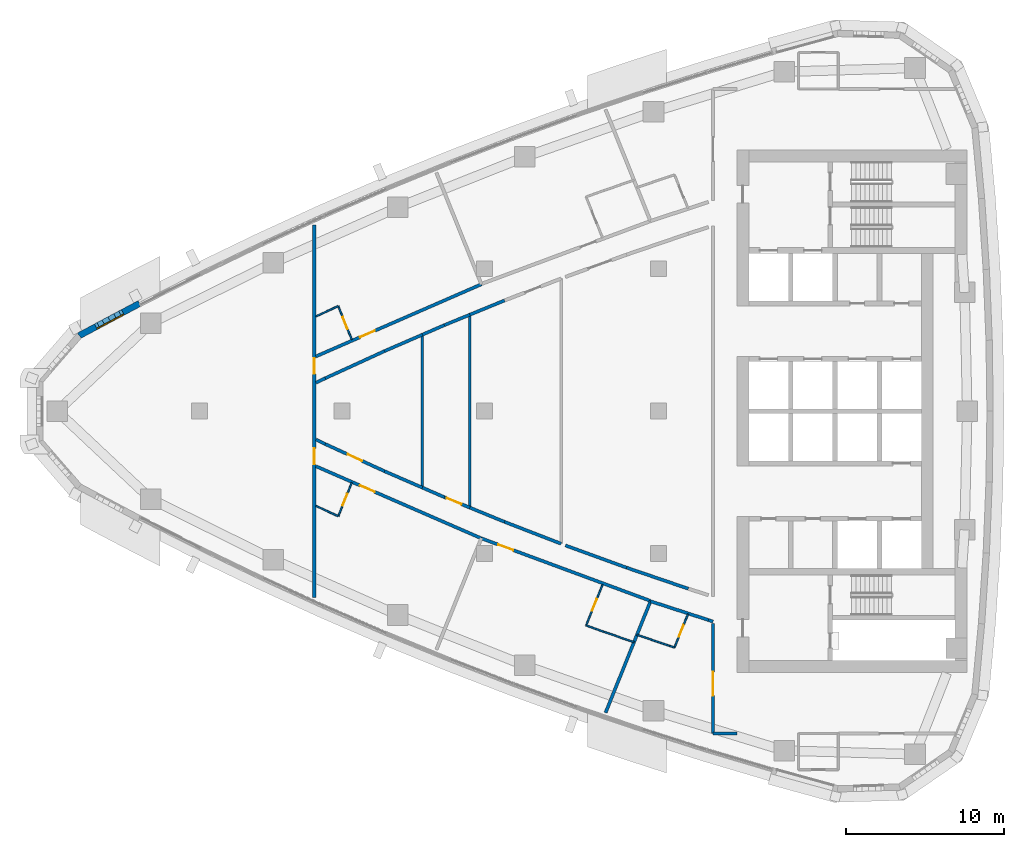
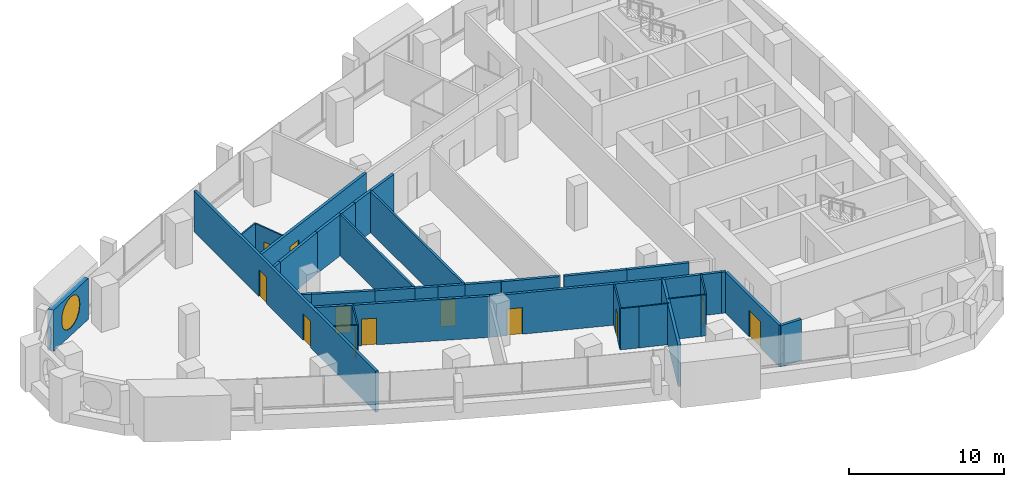
# One storey, part 9 of 16: 37 walls, 12 doors, 1 window, 13 openings.
"""IFC4 building model written with IfcOpenShell, lengths in metres."""

from ifc_helpers import new_model, si_unit, direction, frame, frame_2d, origin, place, context, subcontext, project, spatial, polyline, rectangle, outline, extrude, material, layer, layer_set, type_object, element, fill, save


model = new_model("IFC4")

# Units and contexts
model_context = context("Model", 3, precision=1e-05, world=origin(), true_north=direction((0.0, 1.0)))
body_context = subcontext(model_context, "Body", "Model", "MODEL_VIEW")
ifc_project = project(units=[si_unit("LENGTHUNIT", "METRE"), si_unit("AREAUNIT", "SQUARE_METRE"), si_unit("VOLUMEUNIT", "CUBIC_METRE"), si_unit("PLANEANGLEUNIT", "RADIAN"), si_unit("MASSUNIT", "GRAM", prefix="KILO")], contexts=[model_context])

# Site, building, storey
site_placement = place(None, origin())
site = spatial("IfcSite", under=ifc_project, at=site_placement, CompositionType="ELEMENT")
building_placement = place(site_placement, origin())
building = spatial("IfcBuilding", under=site, at=building_placement, Name="Ostrand Prow Hotel Tower", CompositionType="ELEMENT")
storey_placement = place(building_placement, frame((0.0, 0.0, 189.699951171875)))
storey = spatial("IfcBuildingStorey", under=building, at=storey_placement, Name="L47", CompositionType="ELEMENT", Elevation=189.699951171875)

# Wall
ifc_material_1 = material(Name="Plasterboard partition")
ifc_layer_1 = layer(ifc_material_1, 0.10009765625)
ifc_layer_set_1 = layer_set([ifc_layer_1], Name="Plasterboard partition")
wall_type_1 = type_object("IfcWallType", Name="Partition 100 bathroom wall", PredefinedType="PARTITIONING", material=ifc_layer_set_1)
wall_1_placement = place(storey_placement, frame((23.35400390625, 5.9873046875, 0.0), z_axis=(0.0, 0.0, 1.0), x_axis=(0.909158902999, 0.416449383597, 0.0)))
element("IfcWall", 1, at=wall_1_placement, inside=storey, type_object=wall_type_1, Name="BATHROOM WALL", PredefinedType="PARTITIONING", context=body_context, shape_type="SweptSolid", body=[
    extrude(rectangle(XDim=1.555908203125, YDim=0.10009765625, at=frame_2d((0.77783203125, 0.0))), origin(), (0.0, 0.0, 1.0), 3.25),
])

# Wall, opening, door
wall_2_placement = place(storey_placement, frame((24.7685546875, 6.635009765625, 0.0), z_axis=(0.0, 0.0, 1.0), x_axis=(0.373956446544, -0.927446265877, 0.0)))
wall_2 = element("IfcWall", 2, at=wall_2_placement, inside=storey, type_object=wall_type_1, Name="BATHROOM WALL", PredefinedType="PARTITIONING", context=body_context, shape_type="SweptSolid", body=[
    extrude(rectangle(XDim=2.279052734375, YDim=0.10009765625, at=frame_2d((1.1396484375, 0.0))), origin(), (0.0, 0.0, 1.0), 3.25),
])
opening_1_placement = place(wall_2_placement, frame((0.75, 0.0, 0.0)))
opening_1 = element("IfcOpeningElement", 3, at=opening_1_placement, cuts=wall_2, Name="Opening D2", PredefinedType="OPENING", context=body_context, shape_type="SweptSolid", body=[
    extrude(rectangle(XDim=0.800048828125, YDim=2.10009765625, at=frame_2d((0.39990234375, 1.050048828125))), frame((0.0, 0.06005859375, 0.0), z_axis=(0.0, -1.0, 0.0), x_axis=(1.0, 0.0, 0.0)), (0.0, 0.0, 1.0), 0.1201171875),
])
ifc_material_2 = material(Name="Timber door leaf", Category="wood")
door_type_1 = type_object("IfcDoorType", Name="Bathroom door 800", OperationType="SINGLE_SWING_LEFT", PredefinedType="DOOR", material=ifc_material_2)
door_1_placement = place(opening_1_placement, origin())
door_1 = element("IfcDoor", 4, at=door_1_placement, inside=storey, type_object=door_type_1, Name="DOOR", OperationType="SINGLE_SWING_LEFT", OverallHeight=2.10009765625, OverallWidth=0.800048828125, PredefinedType="DOOR", context=body_context, shape_type="SweptSolid", body=[
    extrude(rectangle(XDim=0.800048828125, YDim=2.10009765625, at=frame_2d((0.39990234375, 1.050048828125))), frame((0.0, 0.02490234375, 0.0), z_axis=(0.0, -1.0, 0.0), x_axis=(1.0, 0.0, 0.0)), (0.0, 0.0, 1.0), 0.050048828125),
])
fill(opening_1, door_1)

wall_3_placement = place(storey_placement, frame((25.620849609375, -4.521240234375, 0.0), z_axis=(0.0, 0.0, 1.0), x_axis=(-0.373956446544, -0.927446265877, 0.0)))
wall_3 = element("IfcWall", 5, at=wall_3_placement, inside=storey, type_object=wall_type_1, Name="BATHROOM WALL", PredefinedType="PARTITIONING", context=body_context, shape_type="SweptSolid", body=[
    extrude(rectangle(XDim=2.279052734375, YDim=0.10009765625, at=frame_2d((1.1396484375, 0.0))), origin(), (0.0, 0.0, 1.0), 3.25),
])
opening_2_placement = place(wall_3_placement, frame((0.75, 0.0, 0.0)))
opening_2 = element("IfcOpeningElement", 6, at=opening_2_placement, cuts=wall_3, Name="Opening D2", PredefinedType="OPENING", context=body_context, shape_type="SweptSolid", body=[
    extrude(rectangle(XDim=0.800048828125, YDim=2.10009765625, at=frame_2d((0.39990234375, 1.050048828125))), frame((0.0, 0.06005859375, 0.0), z_axis=(0.0, -1.0, 0.0), x_axis=(1.0, 0.0, 0.0)), (0.0, 0.0, 1.0), 0.1201171875),
])
door_2_placement = place(opening_2_placement, origin())
door_2 = element("IfcDoor", 7, at=door_2_placement, inside=storey, type_object=door_type_1, Name="DOOR", OperationType="SINGLE_SWING_LEFT", OverallHeight=2.10009765625, OverallWidth=0.800048828125, PredefinedType="DOOR", context=body_context, shape_type="SweptSolid", body=[
    extrude(rectangle(XDim=0.800048828125, YDim=2.10009765625, at=frame_2d((0.39990234375, 1.050048828125))), frame((0.0, 0.02490234375, 0.0), z_axis=(0.0, -1.0, 0.0), x_axis=(1.0, 0.0, 0.0)), (0.0, 0.0, 1.0), 0.050048828125),
])
fill(opening_2, door_2)

# Wall
wall_4_placement = place(storey_placement, frame((24.7685546875, -6.63525390625, 0.0), z_axis=(0.0, 0.0, 1.0), x_axis=(-0.909158902999, 0.416449383597, 0.0)))
element("IfcWall", 8, at=wall_4_placement, inside=storey, type_object=wall_type_1, Name="BATHROOM WALL", PredefinedType="PARTITIONING", context=body_context, shape_type="SweptSolid", body=[
    extrude(rectangle(XDim=1.555908203125, YDim=0.10009765625, at=frame_2d((0.77783203125, 0.0))), origin(), (0.0, 0.0, 1.0), 3.25),
])

# Wall, opening, door
wall_5_placement = place(storey_placement, frame((40.425537109375, -13.53173828125, 0.0), z_axis=(0.0, 0.0, 1.0), x_axis=(0.373889095325, 0.927473419779, 0.0)))
wall_5 = element("IfcWall", 9, at=wall_5_placement, inside=storey, type_object=wall_type_1, Name="BATHROOM WALL", PredefinedType="PARTITIONING", context=body_context, shape_type="SweptSolid", body=[
    extrude(rectangle(XDim=2.7783203125, YDim=0.10009765625, at=frame_2d((1.38916015625, 0.0))), origin(), (0.0, 0.0, 1.0), 3.25),
])
opening_3_placement = place(wall_5_placement, frame((1.0, 0.0, 0.0)))
opening_3 = element("IfcOpeningElement", 10, at=opening_3_placement, cuts=wall_5, Name="Opening D2", PredefinedType="OPENING", context=body_context, shape_type="SweptSolid", body=[
    extrude(rectangle(XDim=0.800048828125, YDim=2.10009765625, at=frame_2d((0.39990234375, 1.050048828125))), frame((0.0, 0.06005859375, 0.0), z_axis=(0.0, -1.0, 0.0), x_axis=(1.0, 0.0, 0.0)), (0.0, 0.0, 1.0), 0.1201171875),
])
door_3_placement = place(opening_3_placement, origin())
door_3 = element("IfcDoor", 11, at=door_3_placement, inside=storey, type_object=door_type_1, Name="DOOR", OperationType="SINGLE_SWING_LEFT", OverallHeight=2.10009765625, OverallWidth=0.800048828125, PredefinedType="DOOR", context=body_context, shape_type="SweptSolid", body=[
    extrude(rectangle(XDim=0.800048828125, YDim=2.10009765625, at=frame_2d((0.39990234375, 1.050048828125))), frame((0.0, 0.02490234375, 0.0), z_axis=(0.0, -1.0, 0.0), x_axis=(1.0, 0.0, 0.0)), (0.0, 0.0, 1.0), 0.050048828125),
])
fill(opening_3, door_3)

# Walls
wall_6_placement = place(storey_placement, frame((43.449462890625, -14.589111328125, 0.0), z_axis=(0.0, 0.0, 1.0), x_axis=(-0.94641533286, 0.322952036265, 0.0)))
element("IfcWall", 12, at=wall_6_placement, inside=storey, type_object=wall_type_1, Name="BATHROOM WALL", PredefinedType="PARTITIONING", context=body_context, shape_type="SweptSolid", body=[
    extrude(rectangle(XDim=2.001708984375, YDim=0.10009765625, at=frame_2d((1.0009765625, 0.0))), origin(), (0.0, 0.0, 1.0), 3.25),
])
wall_7_placement = place(storey_placement, frame((41.5546875, -13.942626953125, 0.0), z_axis=(0.0, 0.0, 1.0), x_axis=(-0.939781557461, 0.341775692897, 0.0)))
element("IfcWall", 13, at=wall_7_placement, inside=storey, type_object=wall_type_1, Name="BATHROOM WALL", PredefinedType="PARTITIONING", context=body_context, shape_type="SweptSolid", body=[
    extrude(rectangle(XDim=1.201416015625, YDim=0.10009765625, at=frame_2d((0.6005859375, 0.0))), origin(), (0.0, 0.0, 1.0), 3.25),
])

# Wall, opening, door
wall_8_placement = place(storey_placement, frame((46.862548828125, -12.80908203125, 0.0), z_axis=(0.0, 0.0, 1.0), x_axis=(-0.373877855241, -0.927477950876, 0.0)))
wall_8 = element("IfcWall", 14, at=wall_8_placement, inside=storey, type_object=wall_type_1, Name="BATHROOM WALL", PredefinedType="PARTITIONING", context=body_context, shape_type="SweptSolid", body=[
    extrude(rectangle(XDim=2.283447265625, YDim=0.10009765625, at=frame_2d((1.1416015625, 0.0))), origin(), (0.0, 0.0, 1.0), 3.25),
])
opening_4_placement = place(wall_8_placement, frame((0.75, 0.0, 0.0)))
opening_4 = element("IfcOpeningElement", 15, at=opening_4_placement, cuts=wall_8, Name="Opening D2", PredefinedType="OPENING", context=body_context, shape_type="SweptSolid", body=[
    extrude(rectangle(XDim=0.800048828125, YDim=2.10009765625, at=frame_2d((0.39990234375, 1.050048828125))), frame((0.0, 0.06005859375, 0.0), z_axis=(0.0, -1.0, 0.0), x_axis=(1.0, 0.0, 0.0)), (0.0, 0.0, 1.0), 0.1201171875),
])
door_4_placement = place(opening_4_placement, origin())
door_4 = element("IfcDoor", 16, at=door_4_placement, inside=storey, type_object=door_type_1, Name="DOOR", OperationType="SINGLE_SWING_LEFT", OverallHeight=2.10009765625, OverallWidth=0.800048828125, PredefinedType="DOOR", context=body_context, shape_type="SweptSolid", body=[
    extrude(rectangle(XDim=0.800048828125, YDim=2.10009765625, at=frame_2d((0.39990234375, 1.050048828125))), frame((0.0, 0.02490234375, 0.0), z_axis=(0.0, -1.0, 0.0), x_axis=(1.0, 0.0, 0.0)), (0.0, 0.0, 1.0), 0.050048828125),
])
fill(opening_4, door_4)

# Walls
wall_9_placement = place(storey_placement, frame((46.0087890625, -14.927001953125, 0.0), z_axis=(0.0, 0.0, 1.0), x_axis=(-0.952618746207, 0.304166935045, 0.0)))
element("IfcWall", 17, at=wall_9_placement, inside=storey, type_object=wall_type_1, Name="BATHROOM WALL", PredefinedType="PARTITIONING", context=body_context, shape_type="SweptSolid", body=[
    extrude(rectangle(XDim=0.334716796875, YDim=0.10009765625, at=frame_2d((0.16748046875, 0.0))), origin(), (0.0, 0.0, 1.0), 3.25),
])
wall_10_placement = place(storey_placement, frame((45.68994140625, -14.8251953125, 0.0), z_axis=(0.0, 0.0, 1.0), x_axis=(-0.946442988685, 0.322870979136, 0.0)))
element("IfcWall", 18, at=wall_10_placement, inside=storey, type_object=wall_type_1, Name="BATHROOM WALL", PredefinedType="PARTITIONING", context=body_context, shape_type="SweptSolid", body=[
    extrude(rectangle(XDim=2.16943359375, YDim=0.10009765625, at=frame_2d((1.084716796875, 0.0))), origin(), (0.0, 0.0, 1.0), 3.25),
])
ifc_material_3 = material(Name="Plasterboard partition")
ifc_layer_2 = layer(ifc_material_3, 0.14990234375)
ifc_layer_set_2 = layer_set([ifc_layer_2], Name="Plasterboard partition")
wall_type_2 = type_object("IfcWallType", Name="Partition 150 room partition", PredefinedType="PARTITIONING", material=ifc_layer_set_2)
wall_11_placement = place(storey_placement, frame((30.078857421875, -4.830078125, 0.0), z_axis=(0.0, 0.0, 1.0), x_axis=(0.0, 1.0, 0.0)))
element("IfcWall", 19, at=wall_11_placement, inside=storey, type_object=wall_type_2, Name="ROOM PARTITION", PredefinedType="PARTITIONING", context=body_context, shape_type="SweptSolid", body=[
    extrude(rectangle(XDim=9.66015625, YDim=0.14990234375, at=frame_2d((4.830078125, 0.0))), origin(), (0.0, 0.0, 1.0), 3.25),
])
wall_12_placement = place(storey_placement, frame((33.078857421875, -6.09326171875, 0.0), z_axis=(0.0, 0.0, 1.0), x_axis=(0.0, 1.0, 0.0)))
element("IfcWall", 20, at=wall_12_placement, inside=storey, type_object=wall_type_2, Name="ROOM PARTITION", PredefinedType="PARTITIONING", context=body_context, shape_type="SweptSolid", body=[
    extrude(rectangle(XDim=12.1865234375, YDim=0.14990234375, at=frame_2d((6.09326171875, 0.0))), origin(), (0.0, 0.0, 1.0), 3.25),
])

# Wall, opening, door
ifc_material_4 = material(Name="Plasterboard partition")
ifc_layer_3 = layer(ifc_material_4, 0.199951171875)
ifc_layer_set_3 = layer_set([ifc_layer_3], Name="Plasterboard partition")
wall_type_3 = type_object("IfcWallType", Name="Partition 200 corridor wall", PredefinedType="PARTITIONING", material=ifc_layer_set_3)
wall_13_placement = place(storey_placement, frame((23.35400390625, 3.45751953125, 0.0), z_axis=(0.0, 0.0, 1.0), x_axis=(0.916719487908, 0.399531451189, 0.0)))
wall_13 = element("IfcWall", 21, at=wall_13_placement, inside=storey, type_object=wall_type_3, Name="CORRIDOR WALL", PredefinedType="PARTITIONING", context=body_context, shape_type="SweptSolid", body=[
    extrude(rectangle(XDim=11.404296875, YDim=0.199951171875, at=frame_2d((5.7021484375, 0.0))), origin(), (0.0, 0.0, 1.0), 3.25),
])
opening_5_placement = place(wall_13_placement, frame((3.050048828125, 0.0, 0.0)))
opening_5 = element("IfcOpeningElement", 22, at=opening_5_placement, cuts=wall_13, Name="Opening D1R", PredefinedType="OPENING", context=body_context, shape_type="SweptSolid", body=[
    extrude(rectangle(XDim=1.0, YDim=2.10009765625, at=frame_2d((0.5, 1.050048828125))), frame((0.0, 0.10986328125, 0.0), z_axis=(0.0, -1.0, 0.0), x_axis=(1.0, 0.0, 0.0)), (0.0, 0.0, 1.0), 0.219970703125),
])
ifc_material_5 = material(Name="Timber door leaf", Category="wood")
door_type_2 = type_object("IfcDoorType", Name="Guest room door 1000 right", OperationType="SINGLE_SWING_RIGHT", PredefinedType="DOOR", material=ifc_material_5)
door_5_placement = place(opening_5_placement, origin())
door_5 = element("IfcDoor", 23, at=door_5_placement, inside=storey, type_object=door_type_2, Name="DOOR", OperationType="SINGLE_SWING_RIGHT", OverallHeight=2.10009765625, OverallWidth=1.0, PredefinedType="DOOR", context=body_context, shape_type="SweptSolid", body=[
    extrude(rectangle(XDim=1.0, YDim=2.10009765625, at=frame_2d((0.5, 1.050048828125))), frame((0.0, 0.02490234375, 0.0), z_axis=(0.0, -1.0, 0.0), x_axis=(1.0, 0.0, 0.0)), (0.0, 0.0, 1.0), 0.050048828125),
])
fill(opening_5, door_5)

wall_14_placement = place(storey_placement, frame((23.35400390625, -3.4794921875, 0.0), z_axis=(0.0, 0.0, 1.0), x_axis=(0.916726746983, -0.399514794926, 0.0)))
wall_14 = element("IfcWall", 24, at=wall_14_placement, inside=storey, type_object=wall_type_3, Name="CORRIDOR WALL", PredefinedType="PARTITIONING", context=body_context, shape_type="SweptSolid", body=[
    extrude(rectangle(XDim=11.396240234375, YDim=0.199951171875, at=frame_2d((5.6982421875, 0.0))), origin(), (0.0, 0.0, 1.0), 3.25),
])
opening_6_placement = place(wall_14_placement, frame((3.050048828125, 0.0, 0.0)))
opening_6 = element("IfcOpeningElement", 25, at=opening_6_placement, cuts=wall_14, Name="Opening D1", PredefinedType="OPENING", context=body_context, shape_type="SweptSolid", body=[
    extrude(rectangle(XDim=1.0, YDim=2.10009765625, at=frame_2d((0.5, 1.050048828125))), frame((0.0, 0.10986328125, 0.0), z_axis=(0.0, -1.0, 0.0), x_axis=(1.0, 0.0, 0.0)), (0.0, 0.0, 1.0), 0.219970703125),
])
ifc_material_6 = material(Name="Timber door leaf", Category="wood")
door_type_3 = type_object("IfcDoorType", Name="Guest room door 1000", OperationType="SINGLE_SWING_LEFT", PredefinedType="DOOR", material=ifc_material_6)
door_6_placement = place(opening_6_placement, origin())
door_6 = element("IfcDoor", 26, at=door_6_placement, inside=storey, type_object=door_type_3, Name="DOOR", OperationType="SINGLE_SWING_LEFT", OverallHeight=2.10009765625, OverallWidth=1.0, PredefinedType="DOOR", context=body_context, shape_type="SweptSolid", body=[
    extrude(rectangle(XDim=1.0, YDim=2.10009765625, at=frame_2d((0.5, 1.050048828125))), frame((0.0, 0.02490234375, 0.0), z_axis=(0.0, -1.0, 0.0), x_axis=(1.0, 0.0, 0.0)), (0.0, 0.0, 1.0), 0.050048828125),
])
fill(opening_6, door_6)

wall_15_placement = place(storey_placement, frame((33.80126953125, -8.032470703125, 0.0), z_axis=(0.0, 0.0, 1.0), x_axis=(0.937916242759, -0.346861819127, 0.0)))
wall_15 = element("IfcWall", 27, at=wall_15_placement, inside=storey, type_object=wall_type_3, Name="CORRIDOR WALL", PredefinedType="PARTITIONING", context=body_context, shape_type="SweptSolid", body=[
    extrude(rectangle(XDim=11.404541015625, YDim=0.199951171875, at=frame_2d((5.7021484375, 0.0))), origin(), (0.0, 0.0, 1.0), 3.25),
])
opening_7_placement = place(wall_15_placement, frame((1.14990234375, 0.0, 0.0)))
opening_7 = element("IfcOpeningElement", 28, at=opening_7_placement, cuts=wall_15, Name="Opening D1", PredefinedType="OPENING", context=body_context, shape_type="SweptSolid", body=[
    extrude(rectangle(XDim=1.0, YDim=2.10009765625, at=frame_2d((0.5, 1.050048828125))), frame((0.0, 0.10986328125, 0.0), z_axis=(0.0, -1.0, 0.0), x_axis=(1.0, 0.0, 0.0)), (0.0, 0.0, 1.0), 0.219970703125),
])
door_7_placement = place(opening_7_placement, origin())
door_7 = element("IfcDoor", 29, at=door_7_placement, inside=storey, type_object=door_type_3, Name="DOOR", OperationType="SINGLE_SWING_LEFT", OverallHeight=2.10009765625, OverallWidth=1.0, PredefinedType="DOOR", context=body_context, shape_type="SweptSolid", body=[
    extrude(rectangle(XDim=1.0, YDim=2.10009765625, at=frame_2d((0.5, 1.050048828125))), frame((0.0, 0.02490234375, 0.0), z_axis=(0.0, -1.0, 0.0), x_axis=(1.0, 0.0, 0.0)), (0.0, 0.0, 1.0), 0.050048828125),
])
fill(opening_7, door_7)

wall_16_placement = place(storey_placement, frame((27.689697265625, -3.79345703125, 0.0), z_axis=(0.0, 0.0, 1.0), x_axis=(-0.909180834404, 0.416401501382, 0.0)))
wall_16 = element("IfcWall", 30, at=wall_16_placement, inside=storey, type_object=wall_type_3, Name="CORRIDOR WALL", PredefinedType="PARTITIONING", context=body_context, shape_type="SweptSolid", body=[
    extrude(rectangle(XDim=4.1171875, YDim=0.199951171875, at=frame_2d((2.05859375, 0.0))), origin(), (0.0, 0.0, 1.0), 3.25),
])
opening_8_placement = place(wall_16_placement, frame((1.55859375, 0.0, 0.0)))
opening_8 = element("IfcOpeningElement", 31, at=opening_8_placement, cuts=wall_16, Name="Opening D1", PredefinedType="OPENING", context=body_context, shape_type="SweptSolid", body=[
    extrude(rectangle(XDim=1.0, YDim=2.10009765625, at=frame_2d((0.5, 1.050048828125))), frame((0.0, 0.10986328125, 0.0), z_axis=(0.0, -1.0, 0.0), x_axis=(1.0, 0.0, 0.0)), (0.0, 0.0, 1.0), 0.219970703125),
])
door_8_placement = place(opening_8_placement, origin())
door_8 = element("IfcDoor", 32, at=door_8_placement, inside=storey, type_object=door_type_3, Name="DOOR", OperationType="SINGLE_SWING_LEFT", OverallHeight=2.10009765625, OverallWidth=1.0, PredefinedType="DOOR", context=body_context, shape_type="SweptSolid", body=[
    extrude(rectangle(XDim=1.0, YDim=2.10009765625, at=frame_2d((0.5, 1.050048828125))), frame((0.0, 0.02490234375, 0.0), z_axis=(0.0, -1.0, 0.0), x_axis=(1.0, 0.0, 0.0)), (0.0, 0.0, 1.0), 0.050048828125),
])
fill(opening_8, door_8)

# Walls
for number, where, z_axis, x_axis, name in (
    (33, (23.946533203125, -2.0791015625, 0.0), (0.0, 0.0, 1.0), (-0.900646803965, 0.434551877809, 0.0), "CORRIDOR WALL"),
    (34, (23.35400390625, 1.793212890625, 0.0), (0.0, 0.0, 1.0), (0.900646803965, 0.434551877809, 0.0), "CORRIDOR WALL"),
):
    element("IfcWall", number, at=place(storey_placement, frame(where, z_axis=z_axis, x_axis=x_axis)), inside=storey, type_object=wall_type_3, Name=name, PredefinedType="PARTITIONING", context=body_context, shape_type="SweptSolid", body=[
        extrude(rectangle(XDim=0.657958984375, YDim=0.199951171875, at=frame_2d((0.3291015625, 0.0))), origin(), (0.0, 0.0, 1.0), 3.25),
    ])
wall_17_placement = place(storey_placement, frame((23.946533203125, 2.0791015625, 0.0), z_axis=(0.0, 0.0, 1.0), x_axis=(0.909180834404, 0.416401501382, 0.0)))
element("IfcWall", 35, at=wall_17_placement, inside=storey, type_object=wall_type_3, Name="CORRIDOR WALL", PredefinedType="PARTITIONING", context=body_context, shape_type="SweptSolid", body=[
    extrude(rectangle(XDim=4.1171875, YDim=0.199951171875, at=frame_2d((2.05859375, 0.0))), origin(), (0.0, 0.0, 1.0), 3.25),
])
for number, where, z_axis, x_axis, name in (
    (36, (27.689697265625, 3.79345703125, 0.0), (0.0, 0.0, 1.0), (0.917370846112, 0.398033579869, 0.0), "CORRIDOR WALL"),
    (37, (30.078857421875, -4.830078125, 0.0), (0.0, 0.0, 1.0), (-0.917370846112, 0.398033579869, 0.0), "CORRIDOR WALL"),
):
    element("IfcWall", number, at=place(storey_placement, frame(where, z_axis=z_axis, x_axis=x_axis)), inside=storey, type_object=wall_type_3, Name=name, PredefinedType="PARTITIONING", context=body_context, shape_type="SweptSolid", body=[
        extrude(rectangle(XDim=2.604248046875, YDim=0.199951171875, at=frame_2d((1.30224609375, 0.0))), origin(), (0.0, 0.0, 1.0), 3.25),
    ])

# Wall, opening, door
wall_18_placement = place(storey_placement, frame((33.078857421875, -6.09326171875, 0.0), z_axis=(0.0, 0.0, 1.0), x_axis=(-0.925234201035, 0.379396459177, 0.0)))
wall_18 = element("IfcWall", 38, at=wall_18_placement, inside=storey, type_object=wall_type_3, Name="CORRIDOR WALL", PredefinedType="PARTITIONING", context=body_context, shape_type="SweptSolid", body=[
    extrude(rectangle(XDim=1.74267578125, YDim=0.199951171875, at=frame_2d((0.871337890625, 0.0))), origin(), (0.0, 0.0, 1.0), 3.25),
])
opening_9_placement = place(wall_18_placement, frame((0.5712890625, 0.0, 0.0)))
opening_9 = element("IfcOpeningElement", 39, at=opening_9_placement, cuts=wall_18, Name="Opening D1R", PredefinedType="OPENING", context=body_context, shape_type="SweptSolid", body=[
    extrude(rectangle(XDim=1.0, YDim=2.10009765625, at=frame_2d((0.5, 1.050048828125))), frame((0.0, 0.10986328125, 0.0), z_axis=(0.0, -1.0, 0.0), x_axis=(1.0, 0.0, 0.0)), (0.0, 0.0, 1.0), 0.219970703125),
])
door_9_placement = place(opening_9_placement, origin())
door_9 = element("IfcDoor", 40, at=door_9_placement, inside=storey, type_object=door_type_2, Name="DOOR", OperationType="SINGLE_SWING_RIGHT", OverallHeight=2.10009765625, OverallWidth=1.0, PredefinedType="DOOR", context=body_context, shape_type="SweptSolid", body=[
    extrude(rectangle(XDim=1.0, YDim=2.10009765625, at=frame_2d((0.5, 1.050048828125))), frame((0.0, 0.02490234375, 0.0), z_axis=(0.0, -1.0, 0.0), x_axis=(1.0, 0.0, 0.0)), (0.0, 0.0, 1.0), 0.050048828125),
])
fill(opening_9, door_9)

# Walls
for number, where, z_axis, x_axis, name in (
    (41, (31.466552734375, -5.43212890625, 0.0), (0.0, 0.0, 1.0), (-0.917382817853, 0.398005986774, 0.0), "CORRIDOR WALL"),
    (42, (30.078857421875, 4.830078125, 0.0), (0.0, 0.0, 1.0), (0.917382817853, 0.398005986774, 0.0), "CORRIDOR WALL"),
):
    element("IfcWall", number, at=place(storey_placement, frame(where, z_axis=z_axis, x_axis=x_axis)), inside=storey, type_object=wall_type_3, Name=name, PredefinedType="PARTITIONING", context=body_context, shape_type="SweptSolid", body=[
        extrude(rectangle(XDim=1.5126953125, YDim=0.199951171875, at=frame_2d((0.75634765625, 0.0))), origin(), (0.0, 0.0, 1.0), 3.25),
    ])
wall_19_placement = place(storey_placement, frame((31.466552734375, 5.43212890625, 0.0), z_axis=(0.0, 0.0, 1.0), x_axis=(0.925234201035, 0.379396459177, 0.0)))
element("IfcWall", 43, at=wall_19_placement, inside=storey, type_object=wall_type_3, Name="CORRIDOR WALL", PredefinedType="PARTITIONING", context=body_context, shape_type="SweptSolid", body=[
    extrude(rectangle(XDim=1.74267578125, YDim=0.199951171875, at=frame_2d((0.871337890625, 0.0))), origin(), (0.0, 0.0, 1.0), 3.25),
])
wall_20_placement = place(storey_placement, frame((38.843017578125, -8.3740234375, 0.0), z_axis=(0.0, 0.0, 1.0), x_axis=(-0.932681040007, 0.360702200731, 0.0)))
element("IfcWall", 44, at=wall_20_placement, inside=storey, type_object=wall_type_3, Name="CORRIDOR WALL", PredefinedType="PARTITIONING", context=body_context, shape_type="SweptSolid", body=[
    extrude(rectangle(XDim=3.824951171875, YDim=0.199951171875, at=frame_2d((1.91259765625, 0.0))), origin(), (0.0, 0.0, 1.0), 3.25),
])
for number, where, z_axis, x_axis, name in (
    (45, (35.275634765625, -6.994384765625, 0.0), (0.0, 0.0, 1.0), (-0.925186207522, 0.37951347988, 0.0), "CORRIDOR WALL"),
    (46, (33.078857421875, 6.09326171875, 0.0), (0.0, 0.0, 1.0), (0.925186207522, 0.37951347988, 0.0), "CORRIDOR WALL"),
):
    element("IfcWall", number, at=place(storey_placement, frame(where, z_axis=z_axis, x_axis=x_axis)), inside=storey, type_object=wall_type_3, Name=name, PredefinedType="PARTITIONING", context=body_context, shape_type="SweptSolid", body=[
        extrude(rectangle(XDim=2.37451171875, YDim=0.199951171875, at=frame_2d((1.187255859375, 0.0))), origin(), (0.0, 0.0, 1.0), 3.25),
    ])
for number, where, z_axis, x_axis, name in (
    (47, (46.880859375, -11.216552734375, 0.0), (0.0, 0.0, 1.0), (-0.946436071896, 0.322891253852, 0.0), "CORRIDOR WALL"),
    (48, (42.984375, -9.88720703125, 0.0), (0.0, 0.0, 1.0), (-0.939727613335, 0.341923986779, 0.0), "CORRIDOR WALL"),
):
    element("IfcWall", number, at=place(storey_placement, frame(where, z_axis=z_axis, x_axis=x_axis)), inside=storey, type_object=wall_type_3, Name=name, PredefinedType="PARTITIONING", context=body_context, shape_type="SweptSolid", body=[
        extrude(rectangle(XDim=4.116943359375, YDim=0.199951171875, at=frame_2d((2.05859375, 0.0))), origin(), (0.0, 0.0, 1.0), 3.25),
    ])
wall_21_placement = place(storey_placement, frame((44.490478515625, -12.007080078125, 0.0), z_axis=(0.0, 0.0, 1.0), x_axis=(0.951228355446, -0.308487626648, 0.0)))
element("IfcWall", 49, at=wall_21_placement, inside=storey, type_object=wall_type_3, Name="CORRIDOR WALL", PredefinedType="PARTITIONING", context=body_context, shape_type="SweptSolid", body=[
    extrude(rectangle(XDim=3.84716796875, YDim=0.199951171875, at=frame_2d((1.923583984375, 0.0))), origin(), (0.0, 0.0, 1.0), 3.25),
])
wall_22_placement = place(storey_placement, frame((48.14990234375, -13.19384765625, 0.0), z_axis=(0.0, 0.0, 1.0), x_axis=(0.946069343286, -0.323964191994, 0.0)))
element("IfcWall", 50, at=wall_22_placement, inside=storey, type_object=wall_type_3, Name="CORRIDOR WALL", PredefinedType="PARTITIONING", context=body_context, shape_type="SweptSolid", body=[
    extrude(rectangle(XDim=0.31201171875, YDim=0.199951171875, at=frame_2d((0.156005859375, 0.0))), origin(), (0.0, 0.0, 1.0), 3.25),
])

# Wall, opening, door
wall_23_placement = place(storey_placement, frame((48.445068359375, -13.414794921875, 0.0), z_axis=(0.0, 0.0, 1.0), x_axis=(0.0, -1.0, 0.0)))
wall_23 = element("IfcWall", 51, at=wall_23_placement, inside=storey, type_object=wall_type_3, Name="CORRIDOR WALL", PredefinedType="PARTITIONING", context=body_context, shape_type="SweptSolid", body=[
    extrude(rectangle(XDim=6.936279296875, YDim=0.199951171875, at=frame_2d((3.46826171875, 0.0))), origin(), (0.0, 0.0, 1.0), 3.25),
])
opening_10_placement = place(wall_23_placement, frame((3.050048828125, 0.0, 0.0)))
opening_10 = element("IfcOpeningElement", 52, at=opening_10_placement, cuts=wall_23, Name="Opening D15", PredefinedType="OPENING", context=body_context, shape_type="SweptSolid", body=[
    extrude(rectangle(XDim=1.5, YDim=2.10009765625, at=frame_2d((0.75, 1.050048828125))), frame((0.0, 0.10986328125, 0.0), z_axis=(0.0, -1.0, 0.0), x_axis=(1.0, 0.0, 0.0)), (0.0, 0.0, 1.0), 0.219970703125),
])
ifc_material_7 = material(Name="Timber door leaf", Category="wood")
door_type_4 = type_object("IfcDoorType", Name="Double door 1500", OperationType="DOUBLE_DOOR_SINGLE_SWING", PredefinedType="DOOR", material=ifc_material_7)
door_10_placement = place(opening_10_placement, origin())
door_10 = element("IfcDoor", 53, at=door_10_placement, inside=storey, type_object=door_type_4, Name="DOOR", OperationType="DOUBLE_DOOR_SINGLE_SWING", OverallHeight=2.10009765625, OverallWidth=1.5, PredefinedType="DOOR", context=body_context, shape_type="SweptSolid", body=[
    extrude(rectangle(XDim=1.5, YDim=2.10009765625, at=frame_2d((0.75, 1.050048828125))), frame((0.0, 0.02490234375, 0.0), z_axis=(0.0, -1.0, 0.0), x_axis=(1.0, 0.0, 0.0)), (0.0, 0.0, 1.0), 0.050048828125),
])
fill(opening_10, door_10)

# Walls
wall_24_placement = place(storey_placement, frame((48.445068359375, -20.35107421875, 0.0), z_axis=(0.0, 0.0, 1.0), x_axis=(0.999996609175, -0.002604157836, 0.0)))
element("IfcWall", 54, at=wall_24_placement, inside=storey, type_object=wall_type_3, Name="CORRIDOR WALL", PredefinedType="PARTITIONING", context=body_context, shape_type="SweptSolid", body=[
    extrude(rectangle(XDim=1.5, YDim=0.199951171875, at=frame_2d((0.75, 0.0))), origin(), (0.0, 0.0, 1.0), 3.25),
])
ifc_material_8 = material(Name="Plasterboard partition")
ifc_layer_4 = layer(ifc_material_8, 0.199951171875)
ifc_layer_set_4 = layer_set([ifc_layer_4], Name="Plasterboard partition")
wall_type_4 = type_object("IfcWallType", Name="Partition 200 key partition", PredefinedType="PARTITIONING", material=ifc_layer_set_4)
wall_25_placement = place(storey_placement, frame((41.652099609375, -19.047607421875, 0.0), z_axis=(0.0, 0.0, 1.0), x_axis=(0.373877998371, 0.927477893178, 0.0)))
element("IfcWall", 55, at=wall_25_placement, inside=storey, type_object=wall_type_4, Name="KEY PARTITION", PredefinedType="PARTITIONING", context=body_context, shape_type="SweptSolid", body=[
    extrude(rectangle(XDim=7.611328125, YDim=0.199951171875, at=frame_2d((3.8056640625, 0.0))), origin(), (0.0, 0.0, 1.0), 3.25),
])

# Wall, openings, doors
ifc_material_9 = material(Name="Plasterboard partition")
ifc_layer_5 = layer(ifc_material_9, 0.199951171875)
ifc_layer_set_5 = layer_set([ifc_layer_5], Name="Plasterboard partition")
wall_type_5 = type_object("IfcWallType", Name="Partition 200 lounge wall", PredefinedType="PARTITIONING", material=ifc_layer_set_5)
wall_26_placement = place(storey_placement, frame((23.25390625, -11.77099609375, 0.0), z_axis=(0.0, 0.0, 1.0), x_axis=(0.0, 1.0, 0.0)))
wall_26 = element("IfcWall", 56, at=wall_26_placement, inside=storey, type_object=wall_type_5, Name="LOUNGE WALL", PredefinedType="PARTITIONING", context=body_context, shape_type="SweptSolid", body=[
    extrude(rectangle(XDim=23.5419921875, YDim=0.199951171875, at=frame_2d((11.77099609375, 0.0))), origin(), (0.0, 0.0, 1.0), 3.25),
])
opening_11_placement = place(wall_26_placement, frame((14.125, 0.0, 0.0)))
opening_11 = element("IfcOpeningElement", 57, at=opening_11_placement, cuts=wall_26, Name="Opening D1", PredefinedType="OPENING", context=body_context, shape_type="SweptSolid", body=[
    extrude(rectangle(XDim=1.0, YDim=2.10009765625, at=frame_2d((0.5, 1.050048828125))), frame((0.0, 0.10986328125, 0.0), z_axis=(0.0, -1.0, 0.0), x_axis=(1.0, 0.0, 0.0)), (0.0, 0.0, 1.0), 0.219970703125),
])
opening_12_placement = place(wall_26_placement, frame((8.4169921875, 0.0, 0.0)))
opening_12 = element("IfcOpeningElement", 58, at=opening_12_placement, cuts=wall_26, Name="Opening D1R", PredefinedType="OPENING", context=body_context, shape_type="SweptSolid", body=[
    extrude(rectangle(XDim=1.0, YDim=2.10009765625, at=frame_2d((0.5, 1.050048828125))), frame((0.0, 0.10986328125, 0.0), z_axis=(0.0, -1.0, 0.0), x_axis=(1.0, 0.0, 0.0)), (0.0, 0.0, 1.0), 0.219970703125),
])
door_11_placement = place(opening_11_placement, origin())
door_11 = element("IfcDoor", 59, at=door_11_placement, inside=storey, type_object=door_type_3, Name="DOOR", OperationType="SINGLE_SWING_LEFT", OverallHeight=2.10009765625, OverallWidth=1.0, PredefinedType="DOOR", context=body_context, shape_type="SweptSolid", body=[
    extrude(rectangle(XDim=1.0, YDim=2.10009765625, at=frame_2d((0.5, 1.050048828125))), frame((0.0, 0.02490234375, 0.0), z_axis=(0.0, -1.0, 0.0), x_axis=(1.0, 0.0, 0.0)), (0.0, 0.0, 1.0), 0.050048828125),
])
fill(opening_11, door_11)
door_12_placement = place(opening_12_placement, origin())
door_12 = element("IfcDoor", 60, at=door_12_placement, inside=storey, type_object=door_type_2, Name="DOOR", OperationType="SINGLE_SWING_RIGHT", OverallHeight=2.10009765625, OverallWidth=1.0, PredefinedType="DOOR", context=body_context, shape_type="SweptSolid", body=[
    extrude(rectangle(XDim=1.0, YDim=2.10009765625, at=frame_2d((0.5, 1.050048828125))), frame((0.0, 0.02490234375, 0.0), z_axis=(0.0, -1.0, 0.0), x_axis=(1.0, 0.0, 0.0)), (0.0, 0.0, 1.0), 0.050048828125),
])
fill(opening_12, door_12)

# Wall, opening, window
ifc_material_10 = material(Name="Precast concrete C40/50", Category="concrete")
ifc_layer_6 = layer(ifc_material_10, 0.39990234375)
ifc_layer_set_6 = layer_set([ifc_layer_6], Name="Precast concrete C40/50")
wall_type_6 = type_object("IfcWallType", Name="Stone-faced precast wall 400 mm", PredefinedType="NOTDEFINED", material=ifc_layer_set_6)
wall_27_placement = place(storey_placement, frame((12.209716796875, 6.801025390625, 0.0), z_axis=(0.0, 0.0, 1.0), x_axis=(-0.882385889746, -0.470526451518, 0.0)))
wall_27 = element("IfcWall", 61, at=wall_27_placement, inside=storey, type_object=wall_type_6, Name="Stone-faced wall prow 1", PredefinedType="NOTDEFINED", context=body_context, shape_type="SweptSolid", body=[
    extrude(outline(polyline([(0.0, -0.199951171875), (4.34423828125, -0.199951171875), (4.27001953125, 0.199951171875), (0.0, 0.199951171875), (0.0, -0.199951171875)])), origin(), (0.0, 0.0, 1.0), 3.25),
])
opening_13_placement = place(wall_27_placement, frame((1.053466796875, 0.0, 0.60009765625)))
opening_13 = element("IfcOpeningElement", 62, at=opening_13_placement, cuts=wall_27, Name="Opening WP1", PredefinedType="OPENING", context=body_context, shape_type="SweptSolid", body=[
    extrude(outline(polyline([(0.0, 1.35009765625), (0.083740234375, 1.77099609375), (0.322265625, 2.127685546875), (0.678955078125, 2.3662109375), (1.10009765625, 2.449951171875), (1.52099609375, 2.3662109375), (1.877685546875, 2.127685546875), (2.1162109375, 1.77099609375), (2.199951171875, 1.35009765625), (2.199951171875, 1.10009765625), (2.1162109375, 0.678955078125), (1.877685546875, 0.322265625), (1.52099609375, 0.083740234375), (1.10009765625, 0.0), (0.678955078125, 0.083740234375), (0.322265625, 0.322265625), (0.083740234375, 0.678955078125), (0.0, 1.099853515625), (0.0, 1.35009765625)])), frame((0.0, 0.2099609375, 0.0), z_axis=(0.0, -1.0, 0.0), x_axis=(1.0, 0.0, 0.0)), (0.0, 0.0, 1.0), 0.419921875),
])
ifc_material_11 = material(Name="Insulated glass in bronze frame", Category="glass")
window_type = type_object("IfcWindowType", Name="Round-ended prow window 2200x2450", PartitioningType="SINGLE_PANEL", PredefinedType="WINDOW", material=ifc_material_11)
window_placement = place(opening_13_placement, origin())
window = element("IfcWindow", 63, at=window_placement, inside=storey, type_object=window_type, Name="Window prow 1.1", OverallHeight=2.449951171875, OverallWidth=2.199951171875, PartitioningType="SINGLE_PANEL", PredefinedType="WINDOW", context=body_context, shape_type="SweptSolid", body=[
    extrude(outline(polyline([(0.0, 1.35009765625), (0.083740234375, 1.77099609375), (0.322265625, 2.127685546875), (0.678955078125, 2.3662109375), (1.10009765625, 2.449951171875), (1.52099609375, 2.3662109375), (1.877685546875, 2.127685546875), (2.1162109375, 1.77099609375), (2.199951171875, 1.35009765625), (2.199951171875, 1.10009765625), (2.1162109375, 0.678955078125), (1.877685546875, 0.322265625), (1.52099609375, 0.083740234375), (1.10009765625, 0.0), (0.678955078125, 0.083740234375), (0.322265625, 0.322265625), (0.083740234375, 0.678955078125), (0.0, 1.099853515625), (0.0, 1.35009765625)])), frame((0.0, 0.169921875, 0.0), z_axis=(0.0, -1.0, 0.0), x_axis=(1.0, 0.0, 0.0)), (0.0, 0.0, 1.0), 0.06005859375),
])
fill(opening_13, window)

save(model, "model.ifc")
